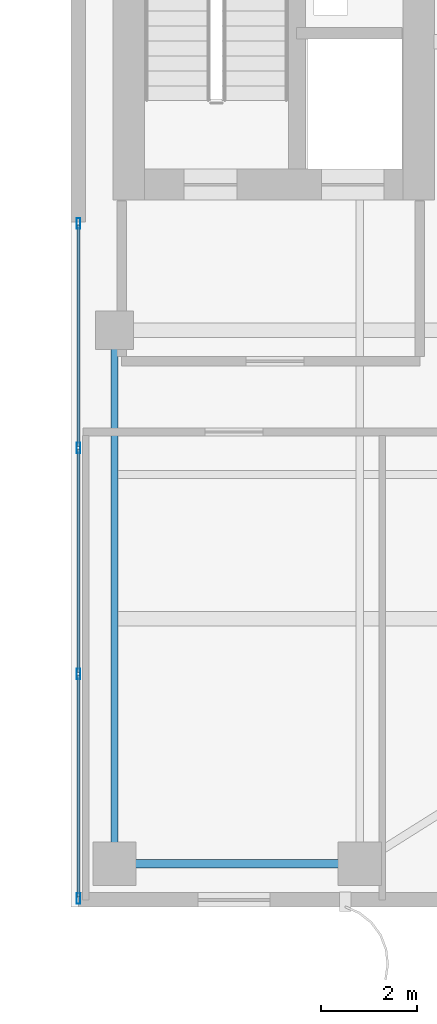
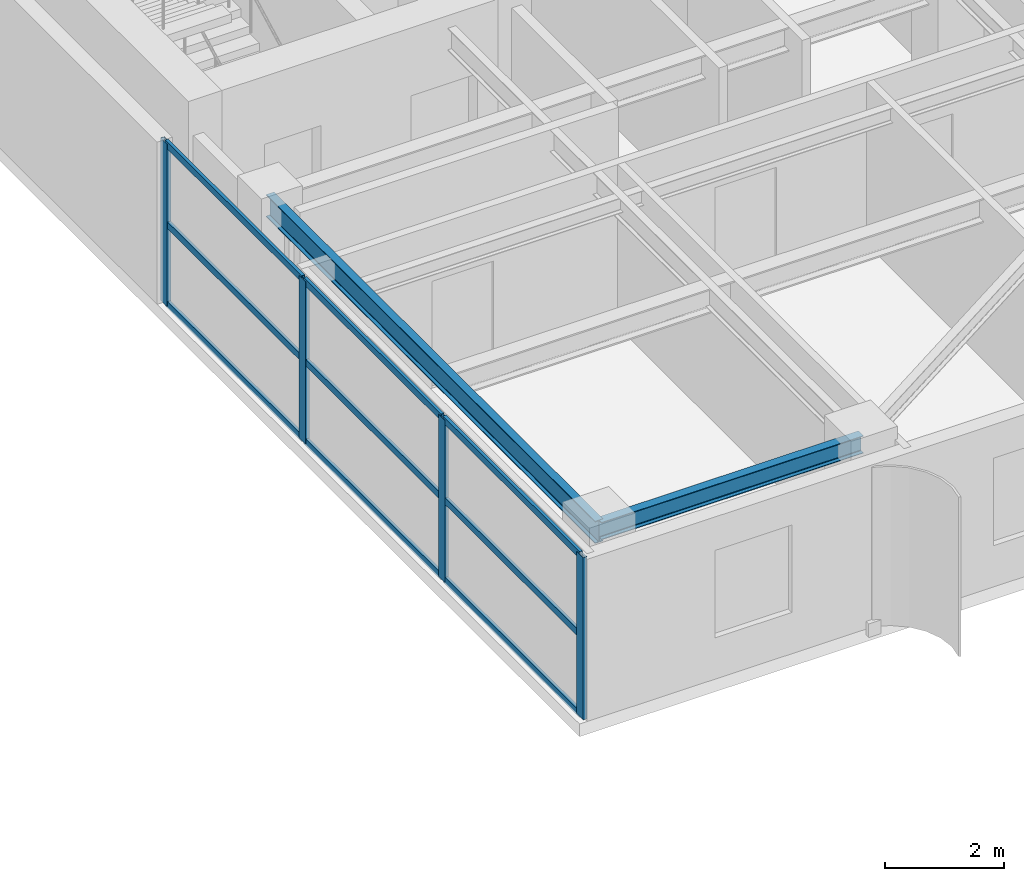
# One storey, part 5 of 22: 13 members, 2 beams, 1 element without a shape of its own.
"""IFC4 building model written with IfcOpenShell, lengths in metres."""

import ifcopenshell
import ifcopenshell.guid

model = None  # the IFC model being written
_history = None  # IfcOwnerHistory: only IFC2X3 demands one
_inside = {}  # id of a spatial element -> (the spatial element, [elements in it])
_under = {}  # id of a project, library or spatial element -> (it, [spatial elements below it])
_declared = {}  # id of a project -> (the project, [libraries it declares])
_typed = {}  # id of a type object -> (the type object, [elements of that type])
_made_of = {}  # id of a material, layer set ... -> (it, [elements and type objects made of it])


def new_model(schema):
    """Start an empty IFC model of exactly this schema.

    Asked for "IFC4X3", IfcOpenShell would pick the latest addendum, in which some entities
    have other attributes; the version numbers below select the first issue.
    IFC2X3 requires an IfcOwnerHistory on every rooted entity: one is made here for all.
    """
    global model, _history
    if schema == "IFC4X3":
        model = ifcopenshell.file(schema_version=(4, 3, 0, 0))
    else:
        model = ifcopenshell.file(schema=schema)
    _inside.clear()
    _under.clear()
    _declared.clear()
    _typed.clear()
    _made_of.clear()
    _history = None
    if model.schema == "IFC2X3":
        org = make("IfcOrganization", Name="unknown")
        user = make(
            "IfcPersonAndOrganization",
            ThePerson=make("IfcPerson", FamilyName="unknown"),
            TheOrganization=org,
        )
        app = make(
            "IfcApplication",
            ApplicationDeveloper=org,
            Version="unknown",
            ApplicationFullName="unknown",
            ApplicationIdentifier="unknown",
        )
        _history = make(
            "IfcOwnerHistory",
            OwningUser=user,
            OwningApplication=app,
            ChangeAction="ADDED",
            CreationDate=0,
        )
    return model


def make(cls, **values):
    """One entity of the class cls with the attributes given. An attribute that is None is left unset."""
    return model.create_entity(
        cls, **{name: value for name, value in values.items() if value is not None}
    )


def rooted(cls, **values):
    """An entity with a GlobalId (a new one), such as an element, a storey or a relation."""
    return make(cls, GlobalId=ifcopenshell.guid.new(), OwnerHistory=_history, **values)


def si_unit(unit_type, name, prefix=None):
    """IfcSIUnit, for example si_unit("LENGTHUNIT", "METRE", prefix="MILLI")."""
    return make("IfcSIUnit", UnitType=unit_type, Prefix=prefix, Name=name)


def assignment(units):
    """IfcUnitAssignment: the units of a project."""
    return None if units is None else make("IfcUnitAssignment", Units=units)


def point(xyz):
    """IfcCartesianPoint."""
    return None if xyz is None else make("IfcCartesianPoint", Coordinates=xyz)


def direction(xyz):
    """IfcDirection."""
    return None if xyz is None else make("IfcDirection", DirectionRatios=xyz)


def frame(location, z_axis=None, x_axis=None):
    """IfcAxis2Placement3D, a coordinate frame: its origin and axes. An axis left out is left unset."""
    return make(
        "IfcAxis2Placement3D",
        Location=point(location),
        Axis=direction(z_axis),
        RefDirection=direction(x_axis),
    )


def frame_2d(location, x_axis=None):
    """IfcAxis2Placement2D, a coordinate frame in the plane: its origin and x axis."""
    return make(
        "IfcAxis2Placement2D", Location=point(location), RefDirection=direction(x_axis)
    )


def origin():
    """The frame at (0, 0, 0) with its axes left unset."""
    return frame((0.0, 0.0, 0.0))


def origin_2d():
    """The frame at (0, 0) in the plane with its x axis left unset."""
    return frame_2d((0.0, 0.0))


def place(relative_to, where):
    """IfcLocalPlacement: puts the frame where relative to a parent placement (None: the world)."""
    return make(
        "IfcLocalPlacement", PlacementRelTo=relative_to, RelativePlacement=where
    )


def context(
    kind, dimensions, precision=None, world=None, true_north=None, identifier=None
):
    """IfcGeometricRepresentationContext, for example the 3D "Model" context."""
    return make(
        "IfcGeometricRepresentationContext",
        ContextIdentifier=identifier,
        ContextType=kind,
        CoordinateSpaceDimension=dimensions,
        Precision=precision,
        WorldCoordinateSystem=world,
        TrueNorth=true_north,
    )


def subcontext(parent, identifier, kind, view, scale=None):
    """IfcGeometricRepresentationSubContext, for example "Body" below "Model"."""
    return make(
        "IfcGeometricRepresentationSubContext",
        ContextIdentifier=identifier,
        ContextType=kind,
        ParentContext=parent,
        TargetScale=scale,
        TargetView=view,
    )


def project(units=None, contexts=None):
    """IfcProject with its units and contexts."""
    return rooted(
        "IfcProject",
        Name="project",
        RepresentationContexts=contexts,
        UnitsInContext=assignment(units),
    )


def spatial(cls, under=None, at=None, **own):
    """A site, building, storey or space (cls), placed at a placement, below another one or the project."""
    s = rooted(cls, ObjectPlacement=at, **own)
    if under is not None:
        _under.setdefault(under.id(), (under, []))[1].append(s)
    return s


def profile(cls, at=None, kind="AREA", **sizes):
    """A parametric profile (cls). Its sizes go by their IFC names, for example OverallWidth=200.0."""
    return make(cls, ProfileType=kind, Position=at, **sizes)


def hollow_rectangle(**sizes):
    """IfcRectangleHollowProfileDef."""
    return profile("IfcRectangleHollowProfileDef", **sizes)


def i_section(**sizes):
    """IfcIShapeProfileDef."""
    return profile("IfcIShapeProfileDef", **sizes)


def extrude(swept, where, along, depth):
    """IfcExtrudedAreaSolid: the profile swept, set in the frame where, extruded along a direction by depth."""
    return make(
        "IfcExtrudedAreaSolid",
        SweptArea=swept,
        Position=where,
        ExtrudedDirection=direction(along),
        Depth=depth,
    )


def shape(context_of_items, identifier, shape_type, items):
    """IfcShapeRepresentation: the items that make up one representation, for example the "Body"."""
    return make(
        "IfcShapeRepresentation",
        ContextOfItems=context_of_items,
        RepresentationIdentifier=identifier,
        RepresentationType=shape_type,
        Items=items,
    )


def source(mapping_origin, context_of_items, identifier, shape_type, items):
    """IfcRepresentationMap: a shape defined once, which mapped items show again and again."""
    return make(
        "IfcRepresentationMap",
        MappingOrigin=mapping_origin,
        MappedRepresentation=shape(context_of_items, identifier, shape_type, items),
    )


def transform(
    local_origin,
    x_axis=None,
    y_axis=None,
    z_axis=None,
    scale=None,
    scale2=None,
    scale3=None,
    uniform=True,
):
    """IfcCartesianTransformationOperator3D, or its non-uniform kind. x_axis, y_axis, z_axis: its Axis1, 2, 3."""
    if uniform:
        return make(
            "IfcCartesianTransformationOperator3D",
            Axis1=direction(x_axis),
            Axis2=direction(y_axis),
            LocalOrigin=point(local_origin),
            Scale=scale,
            Axis3=direction(z_axis),
        )
    return make(
        "IfcCartesianTransformationOperator3DnonUniform",
        Axis1=direction(x_axis),
        Axis2=direction(y_axis),
        LocalOrigin=point(local_origin),
        Scale=scale,
        Axis3=direction(z_axis),
        Scale2=scale2,
        Scale3=scale3,
    )


def mapped(mapping_source, mapping_target):
    """IfcMappedItem: shows the shape of a source again, moved by a transform."""
    return make(
        "IfcMappedItem", MappingSource=mapping_source, MappingTarget=mapping_target
    )


def material(Name=None, Category=None):
    """IfcMaterial."""
    return make("IfcMaterial", Name=Name, Category=Category)


def layer(
    of_material, thickness, ventilated=None, Name=None, Category=None, Priority=None
):
    """IfcMaterialLayer: one layer of a wall or slab, of a material (None: an air gap)."""
    return make(
        "IfcMaterialLayer",
        Material=of_material,
        LayerThickness=thickness,
        IsVentilated=ventilated,
        Name=Name,
        Category=Category,
        Priority=Priority,
    )


def layer_set(layers, Name=None):
    """IfcMaterialLayerSet."""
    return make("IfcMaterialLayerSet", MaterialLayers=layers, LayerSetName=Name)


def material_profile(
    of_material, cross_section, Name=None, Category=None, Priority=None
):
    """IfcMaterialProfile: a cross section and its material."""
    return make(
        "IfcMaterialProfile",
        Name=Name,
        Material=of_material,
        Profile=cross_section,
        Priority=Priority,
        Category=Category,
    )


def profile_set(profiles, Name=None, composite=None):
    """IfcMaterialProfileSet."""
    return make(
        "IfcMaterialProfileSet",
        Name=Name,
        MaterialProfiles=profiles,
        CompositeProfile=composite,
    )


def made_of(thing, what):
    """Note that an element or type object is made of a material, layer set ...; save() writes the relation."""
    if what is not None:
        _made_of.setdefault(what.id(), (what, []))[1].append(thing)
    return thing


def type_object(cls, material=None, **own):
    """A type object (cls), such as IfcWallType, which elements share."""
    return made_of(rooted(cls, **own), material)


def element(
    cls,
    number,
    at=None,
    inside=None,
    cuts=None,
    type_object=None,
    material=None,
    context=None,
    identifier="Body",
    shape_type=None,
    held_by="IfcProductDefinitionShape",
    body=None,
    shapes=None,
    **own,
):
    """One element of the class cls, such as IfcWall. Its Tag is "e" and its number.

    at: its placement. inside: the storey or other place that contains it. cuts: it is an
    opening in that element (IfcRelVoidsElement). A single representation is given by context,
    identifier, shape_type and body (its items); several are given by shapes. held_by: the class
    of the entity that holds the representations. save() writes the other relations.
    """
    e = rooted(cls, Tag="e%d" % number, ObjectPlacement=at, **own)
    if body is not None:
        shapes = [shape(context, identifier, shape_type, body)]
    if shapes is not None:
        e.Representation = make(held_by, Representations=shapes)
    if inside is not None:
        _inside.setdefault(inside.id(), (inside, []))[1].append(e)
    if cuts is not None:
        rooted(
            "IfcRelVoidsElement", RelatingBuildingElement=cuts, RelatedOpeningElement=e
        )
    if type_object is not None:
        _typed.setdefault(type_object.id(), (type_object, []))[1].append(e)
    return made_of(e, material)


def aggregate(whole, parts):
    """IfcRelAggregates: a whole, such as a stair, and the parts it consists of."""
    return rooted("IfcRelAggregates", RelatingObject=whole, RelatedObjects=parts)


def save(model, path):
    """Write the relations noted so far, then the file.

    IfcRelAggregates (storeys below a building ...), IfcRelContainedInSpatialStructure (elements
    in a storey), IfcRelDefinesByType, IfcRelAssociatesMaterial and IfcRelDeclares: one each for
    every whole, place, type object, material and project.
    """
    for whole, parts in _under.values():
        aggregate(whole, parts)
    for where, things in _inside.values():
        rooted(
            "IfcRelContainedInSpatialStructure",
            RelatedElements=things,
            RelatingStructure=where,
        )
    for kind, things in _typed.values():
        rooted("IfcRelDefinesByType", RelatedObjects=things, RelatingType=kind)
    for what, things in _made_of.values():
        rooted("IfcRelAssociatesMaterial", RelatedObjects=things, RelatingMaterial=what)
    for by, libraries in _declared.values():
        rooted("IfcRelDeclares", RelatingContext=by, RelatedDefinitions=libraries)
    model.write(path)


model = new_model("IFC4")

# Units and contexts
model_context = context("Model", 3, precision=1e-05, world=origin(), true_north=direction((0.0, 1.0)))
body_context = subcontext(model_context, "Body", "Model", "MODEL_VIEW")
ifc_project = project(units=[si_unit("LENGTHUNIT", "METRE"), si_unit("AREAUNIT", "SQUARE_METRE"), si_unit("VOLUMEUNIT", "CUBIC_METRE"), si_unit("PLANEANGLEUNIT", "RADIAN"), si_unit("MASSUNIT", "GRAM", prefix="KILO")], contexts=[model_context])

# Site, building, storey
site_placement = place(None, origin())
site = spatial("IfcSite", under=ifc_project, at=site_placement, CompositionType="ELEMENT")
building_placement = place(site_placement, origin())
building = spatial("IfcBuilding", under=site, at=building_placement, Name="Khoralis Quay Care Tower", CompositionType="ELEMENT")
storey_placement = place(building_placement, frame((0.0, 0.0, 202.5)))
storey = spatial("IfcBuildingStorey", under=building, at=storey_placement, Name="L53", CompositionType="ELEMENT", Elevation=202.5)

# Beams
ifc_material_1 = material(Name="Steel S355", Category="steel")
ifc_material_profile_1 = material_profile(ifc_material_1, i_section(OverallWidth=0.169921875, OverallDepth=0.360107421875, WebThickness=0.008056640625, FlangeThickness=0.0126953125, FilletRadius=0.01806640625, at=origin_2d()), Name="Steel S355")
ifc_profile_set_1 = profile_set([ifc_material_profile_1], Name="Steel S355")
beam_type_1 = type_object("IfcBeamType", Name="BM-IPE360", PredefinedType="SPANDREL", material=ifc_profile_set_1)
shared_shape_1 = source(origin(), body_context, "Body", "SweptSolid", [
    extrude(i_section(OverallWidth=0.169921875, OverallDepth=0.360107421875, WebThickness=0.008056640625, FlangeThickness=0.0126953125, FilletRadius=0.01806640625, at=origin_2d()), origin(), (0.0, 0.0, 1.0), 5.10009765625),
])
beam_1_placement = place(storey_placement, frame((30.89990234375, 0.89990234375, 3.159912109375), z_axis=(1.0, 0.0, 0.0), x_axis=(0.0, 1.0, 0.0)))
element("IfcBeam", 1, at=beam_1_placement, inside=storey, type_object=beam_type_1, Name="BM-TSP-L53-02", PredefinedType="SPANDREL", context=body_context, shape_type="MappedRepresentation", body=[
    mapped(shared_shape_1, transform((0.0, 0.0, 0.0), scale=1.0)),
])
ifc_material_profile_2 = material_profile(ifc_material_1, i_section(OverallWidth=0.154052734375, OverallDepth=0.458984375, WebThickness=0.009033203125, FlangeThickness=0.015380859375, FilletRadius=0.014892578125, at=origin_2d()), Name="Steel S355")
ifc_profile_set_2 = profile_set([ifc_material_profile_2], Name="Steel S355")
beam_type_2 = type_object("IfcBeamType", Name="BM-W460X68", PredefinedType="BEAM", material=ifc_profile_set_2)
shared_shape_2 = source(origin(), body_context, "Body", "SweptSolid", [
    extrude(i_section(OverallWidth=0.154052734375, OverallDepth=0.458984375, WebThickness=0.009033203125, FlangeThickness=0.015380859375, FilletRadius=0.014892578125, at=origin_2d()), origin(), (0.0, 0.0, 1.0), 11.10009765625),
])
beam_2_placement = place(storey_placement, frame((30.89990234375, 0.89990234375, 3.110595703125), z_axis=(0.0, 1.0, 0.0), x_axis=(-1.0, 0.0, 0.0)))
element("IfcBeam", 2, at=beam_2_placement, inside=storey, type_object=beam_type_2, Name="BM-TGYS-L53-309", PredefinedType="BEAM", context=body_context, shape_type="MappedRepresentation", body=[
    mapped(shared_shape_2, transform((0.0, 0.0, 0.0), scale=1.0)),
])

# Curtain wall, members
ifc_material_2 = material(Name="Pale anodised aluminium", Category="aluminium")
ifc_layer = layer(ifc_material_2, 0.18994140625)
ifc_layer_set = layer_set([ifc_layer], Name="Pale anodised aluminium")
curtain_wall_type = type_object("IfcCurtainWallType", Name="CW-SYS-PORTAL", PredefinedType="NOTDEFINED", material=ifc_layer_set)
curtain_wall_placement = place(storey_placement, origin())
curtain_wall = element("IfcCurtainWall", 3, at=curtain_wall_placement, inside=storey, type_object=curtain_wall_type, Name="L53 Unitised Curtain Wall CW-VP-L53-P2-S", PredefinedType="NOTDEFINED")
ifc_material_profile_3 = material_profile(ifc_material_2, hollow_rectangle(XDim=0.074951171875, YDim=0.219970703125, WallThickness=0.00390625, at=origin_2d()), Name="Pale anodised aluminium")
ifc_profile_set_3 = profile_set([ifc_material_profile_3], Name="Pale anodised aluminium")
member_type_1 = type_object("IfcMemberType", Name="CW-MUL-220", PredefinedType="MULLION", material=ifc_profile_set_3)
shared_shape_3 = source(origin(), body_context, "Body", "SweptSolid", [
    extrude(hollow_rectangle(XDim=0.074951171875, YDim=0.219970703125, WallThickness=0.00390625, at=origin_2d()), origin(), (0.0, 0.0, 1.0), 3.340087890625),
])
member_1_placement = place(storey_placement, frame((30.14990234375, 0.179931640625, 0.0), z_axis=(0.0, 0.0, 1.0), x_axis=(-1.0, 0.0, 0.0)))
member_1 = element("IfcMember", 4, at=member_1_placement, type_object=member_type_1, Name="CW4 mullion 1", PredefinedType="MULLION", context=body_context, shape_type="MappedRepresentation", body=[
    mapped(shared_shape_3, transform((0.0, 0.0, 0.0), scale=1.0)),
])
member_2_placement = place(storey_placement, frame((30.14990234375, 4.85009765625, 0.0), z_axis=(0.0, 0.0, 1.0), x_axis=(-1.0, 0.0, 0.0)))
member_2 = element("IfcMember", 5, at=member_2_placement, type_object=member_type_1, Name="CW4 mullion 2", PredefinedType="MULLION", context=body_context, shape_type="MappedRepresentation", body=[
    mapped(shared_shape_3, transform((0.0, 0.0, 0.0), scale=1.0)),
])
member_3_placement = place(storey_placement, frame((30.14990234375, 9.550048828125, 0.0), z_axis=(0.0, 0.0, 1.0), x_axis=(-1.0, 0.0, 0.0)))
member_3 = element("IfcMember", 6, at=member_3_placement, type_object=member_type_1, Name="CW4 mullion 3", PredefinedType="MULLION", context=body_context, shape_type="MappedRepresentation", body=[
    mapped(shared_shape_3, transform((0.0, 0.0, 0.0), scale=1.0)),
])
member_4_placement = place(storey_placement, frame((30.14990234375, 14.219970703125, 0.0), z_axis=(0.0, 0.0, 1.0), x_axis=(-1.0, 0.0, 0.0)))
member_4 = element("IfcMember", 7, at=member_4_placement, type_object=member_type_1, Name="CW4 mullion 4", PredefinedType="MULLION", context=body_context, shape_type="MappedRepresentation", body=[
    mapped(shared_shape_3, transform((0.0, 0.0, 0.0), scale=1.0)),
])
ifc_material_profile_4 = material_profile(ifc_material_2, hollow_rectangle(XDim=0.06005859375, YDim=0.139892578125, WallThickness=0.00390625, at=origin_2d()), Name="Pale anodised aluminium")
ifc_profile_set_4 = profile_set([ifc_material_profile_4], Name="Pale anodised aluminium")
member_type_2 = type_object("IfcMemberType", Name="CW-TRN-140", PredefinedType="USERDEFINED", material=ifc_profile_set_4)
shared_shape_4 = source(origin(), body_context, "Body", "SweptSolid", [
    extrude(hollow_rectangle(XDim=0.06005859375, YDim=0.139892578125, WallThickness=0.00390625, at=origin_2d()), origin(), (0.0, 0.0, 1.0), 4.610107421875),
])
member_5_placement = place(storey_placement, frame((30.14990234375, 0.2099609375, 0.030029296875), z_axis=(0.0, 1.0, 0.0), x_axis=(-1.0, 0.0, 0.0)))
member_5 = element("IfcMember", 8, at=member_5_placement, type_object=member_type_2, Name="CW4 transom 1.1", ObjectType="TRANSOM", PredefinedType="USERDEFINED", context=body_context, shape_type="MappedRepresentation", body=[
    mapped(shared_shape_4, transform((0.0, 0.0, 0.0), scale=1.0)),
])
member_6_placement = place(storey_placement, frame((30.14990234375, 0.2099609375, 1.669921875), z_axis=(0.0, 1.0, 0.0), x_axis=(-1.0, 0.0, 0.0)))
member_6 = element("IfcMember", 9, at=member_6_placement, type_object=member_type_2, Name="CW4 transom 1.2", ObjectType="TRANSOM", PredefinedType="USERDEFINED", context=body_context, shape_type="MappedRepresentation", body=[
    mapped(shared_shape_4, transform((0.0, 0.0, 0.0), scale=1.0)),
])
member_7_placement = place(storey_placement, frame((30.14990234375, 0.2099609375, 3.31005859375), z_axis=(0.0, 1.0, 0.0), x_axis=(-1.0, 0.0, 0.0)))
member_7 = element("IfcMember", 10, at=member_7_placement, type_object=member_type_2, Name="CW4 transom 1.3", ObjectType="TRANSOM", PredefinedType="USERDEFINED", context=body_context, shape_type="MappedRepresentation", body=[
    mapped(shared_shape_4, transform((0.0, 0.0, 0.0), scale=1.0)),
])
shared_shape_5 = source(origin(), body_context, "Body", "SweptSolid", [
    extrude(hollow_rectangle(XDim=0.06005859375, YDim=0.139892578125, WallThickness=0.00390625, at=origin_2d()), origin(), (0.0, 0.0, 1.0), 4.64013671875),
])
member_8_placement = place(storey_placement, frame((30.14990234375, 4.8798828125, 0.030029296875), z_axis=(0.0, 1.0, 0.0), x_axis=(-1.0, 0.0, 0.0)))
member_8 = element("IfcMember", 11, at=member_8_placement, type_object=member_type_2, Name="CW4 transom 2.1", ObjectType="TRANSOM", PredefinedType="USERDEFINED", context=body_context, shape_type="MappedRepresentation", body=[
    mapped(shared_shape_5, transform((0.0, 0.0, 0.0), scale=1.0)),
])
member_9_placement = place(storey_placement, frame((30.14990234375, 4.8798828125, 1.669921875), z_axis=(0.0, 1.0, 0.0), x_axis=(-1.0, 0.0, 0.0)))
member_9 = element("IfcMember", 12, at=member_9_placement, type_object=member_type_2, Name="CW4 transom 2.2", ObjectType="TRANSOM", PredefinedType="USERDEFINED", context=body_context, shape_type="MappedRepresentation", body=[
    mapped(shared_shape_5, transform((0.0, 0.0, 0.0), scale=1.0)),
])
member_10_placement = place(storey_placement, frame((30.14990234375, 4.8798828125, 3.31005859375), z_axis=(0.0, 1.0, 0.0), x_axis=(-1.0, 0.0, 0.0)))
member_10 = element("IfcMember", 13, at=member_10_placement, type_object=member_type_2, Name="CW4 transom 2.3", ObjectType="TRANSOM", PredefinedType="USERDEFINED", context=body_context, shape_type="MappedRepresentation", body=[
    mapped(shared_shape_5, transform((0.0, 0.0, 0.0), scale=1.0)),
])
shared_shape_6 = source(origin(), body_context, "Body", "SweptSolid", [
    extrude(hollow_rectangle(XDim=0.06005859375, YDim=0.139892578125, WallThickness=0.00390625, at=origin_2d()), origin(), (0.0, 0.0, 1.0), 4.60986328125),
])
member_11_placement = place(storey_placement, frame((30.14990234375, 9.580078125, 0.030029296875), z_axis=(0.0, 1.0, 0.0), x_axis=(-1.0, 0.0, 0.0)))
member_11 = element("IfcMember", 14, at=member_11_placement, type_object=member_type_2, Name="CW4 transom 3.1", ObjectType="TRANSOM", PredefinedType="USERDEFINED", context=body_context, shape_type="MappedRepresentation", body=[
    mapped(shared_shape_6, transform((0.0, 0.0, 0.0), scale=1.0)),
])
member_12_placement = place(storey_placement, frame((30.14990234375, 9.580078125, 1.669921875), z_axis=(0.0, 1.0, 0.0), x_axis=(-1.0, 0.0, 0.0)))
member_12 = element("IfcMember", 15, at=member_12_placement, type_object=member_type_2, Name="CW4 transom 3.2", ObjectType="TRANSOM", PredefinedType="USERDEFINED", context=body_context, shape_type="MappedRepresentation", body=[
    mapped(shared_shape_6, transform((0.0, 0.0, 0.0), scale=1.0)),
])
member_13_placement = place(storey_placement, frame((30.14990234375, 9.580078125, 3.31005859375), z_axis=(0.0, 1.0, 0.0), x_axis=(-1.0, 0.0, 0.0)))
member_13 = element("IfcMember", 16, at=member_13_placement, type_object=member_type_2, Name="CW4 transom 3.3", ObjectType="TRANSOM", PredefinedType="USERDEFINED", context=body_context, shape_type="MappedRepresentation", body=[
    mapped(shared_shape_6, transform((0.0, 0.0, 0.0), scale=1.0)),
])
aggregate(curtain_wall, [member_1, member_2, member_3, member_4, member_5, member_6, member_7, member_8, member_9, member_10, member_11, member_12, member_13])

save(model, "model.ifc")
